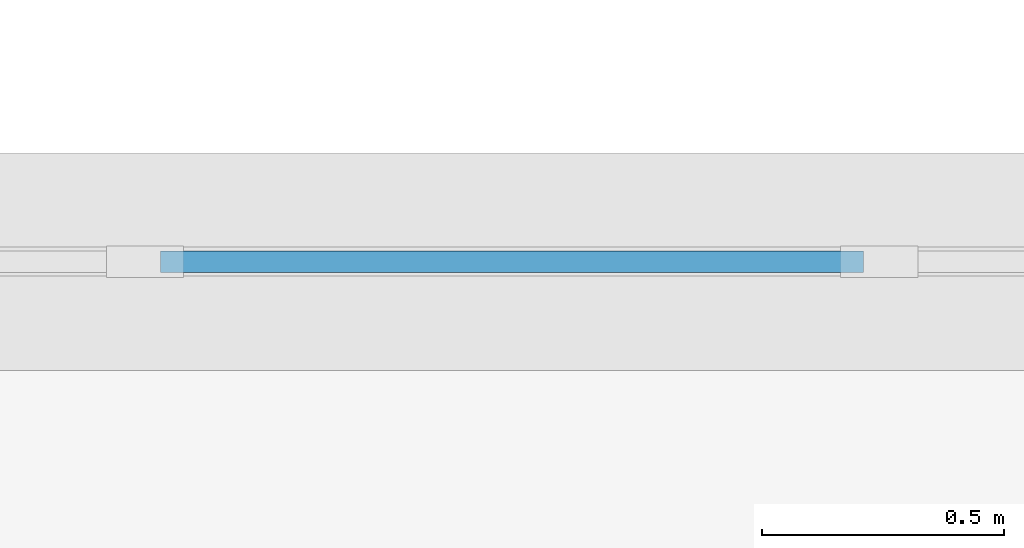
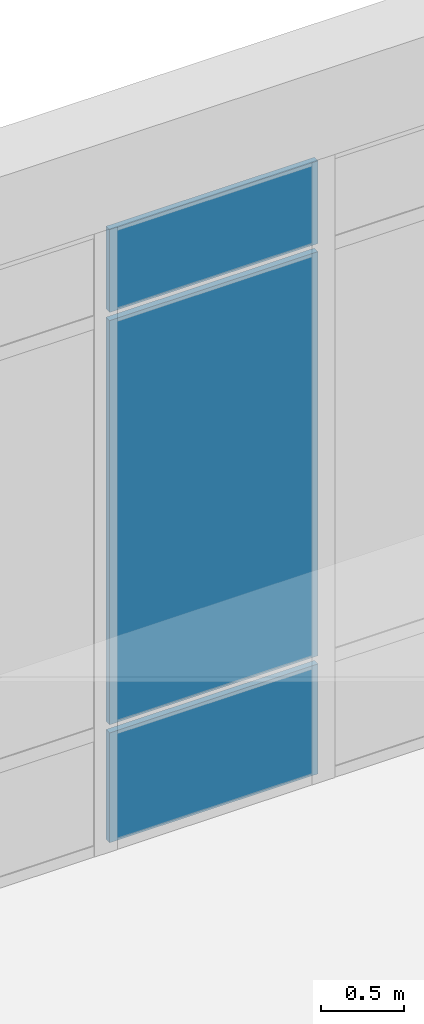
# One storey, part 69 of 157: 3 plates, 1 element without a shape of its own.
"""IFC4 building model written with IfcOpenShell, lengths in metres."""

from ifc_helpers import new_model, si_unit, direction, frame, origin, origin_2d, place, context, subcontext, project, spatial, rectangle, extrude, material, layer, layer_set, type_object, element, aggregate, save


model = new_model("IFC4")

# Units and contexts
model_context = context("Model", 3, precision=1e-05, world=origin(), true_north=direction((0.0, 1.0)))
body_context = subcontext(model_context, "Body", "Model", "MODEL_VIEW")
ifc_project = project(units=[si_unit("LENGTHUNIT", "METRE"), si_unit("AREAUNIT", "SQUARE_METRE"), si_unit("VOLUMEUNIT", "CUBIC_METRE"), si_unit("PLANEANGLEUNIT", "RADIAN"), si_unit("MASSUNIT", "GRAM", prefix="KILO")], contexts=[model_context])

# Site, building, storey
site_placement = place(None, origin())
site = spatial("IfcSite", under=ifc_project, at=site_placement, CompositionType="ELEMENT")
building_placement = place(site_placement, origin())
building = spatial("IfcBuilding", under=site, at=building_placement, Name="Varncliffe General Hospital", CompositionType="ELEMENT")
storey_placement = place(building_placement, frame((0.0, 0.0, 5.39990234375)))
storey = spatial("IfcBuildingStorey", under=building, at=storey_placement, Name="L01", CompositionType="ELEMENT", Elevation=5.39990234375)

# Curtain wall, plates
ifc_material = material(Name="Triple low-E argon insulated vision glazing", Category="glass")
curtain_wall_type = type_object("IfcCurtainWallType", Name="Unitised Glazed Curtain Wall CW26 (7594x4640)", PredefinedType="USERDEFINED", material=ifc_material)
curtain_wall_placement = place(storey_placement, origin())
curtain_wall = element("IfcCurtainWall", 1, at=curtain_wall_placement, inside=storey, type_object=curtain_wall_type, Name="L01 Glazed Curtain Wall CW26-41", ObjectType="GLAZED CURTAIN WALL", PredefinedType="USERDEFINED")
ifc_layer = layer(ifc_material, 0.0439453125)
ifc_layer_set = layer_set([ifc_layer], Name="Triple low-E argon insulated vision glazing")
plate_type = type_object("IfcPlateType", Name="Curtain Wall Glazing Panel CP12 (44mm)", PredefinedType="CURTAIN_PANEL", material=ifc_layer_set)
plate_1_placement = place(storey_placement, frame((86.68115234375, 108.0, 0.06005859375), z_axis=(0.0, 0.0, 1.0), x_axis=(1.0, 0.0, 0.0)))
plate_1 = element("IfcPlate", 2, at=plate_1_placement, type_object=plate_type, Name="CW26 panel 2.1", PredefinedType="CURTAIN_PANEL", context=body_context, shape_type="SweptSolid", body=[
    extrude(rectangle(XDim=1.453857421875, YDim=0.0439453125, at=origin_2d()), origin(), (0.0, 0.0, 1.0), 0.81005859375),
])
plate_2_placement = place(storey_placement, frame((86.68115234375, 108.0, 0.93017578125), z_axis=(0.0, 0.0, 1.0), x_axis=(1.0, 0.0, 0.0)))
plate_2 = element("IfcPlate", 3, at=plate_2_placement, type_object=plate_type, Name="CW26 panel 2.2", PredefinedType="CURTAIN_PANEL", context=body_context, shape_type="SweptSolid", body=[
    extrude(rectangle(XDim=1.453857421875, YDim=0.0439453125, at=origin_2d()), origin(), (0.0, 0.0, 1.0), 2.97998046875),
])
plate_3_placement = place(storey_placement, frame((86.68115234375, 108.0, 3.97021484375), z_axis=(0.0, 0.0, 1.0), x_axis=(1.0, 0.0, 0.0)))
plate_3 = element("IfcPlate", 4, at=plate_3_placement, type_object=plate_type, Name="CW26 panel 2.3", PredefinedType="CURTAIN_PANEL", context=body_context, shape_type="SweptSolid", body=[
    extrude(rectangle(XDim=1.453857421875, YDim=0.0439453125, at=origin_2d()), origin(), (0.0, 0.0, 1.0), 0.610107421875),
])
aggregate(curtain_wall, [plate_1, plate_2, plate_3])

save(model, "model.ifc")
